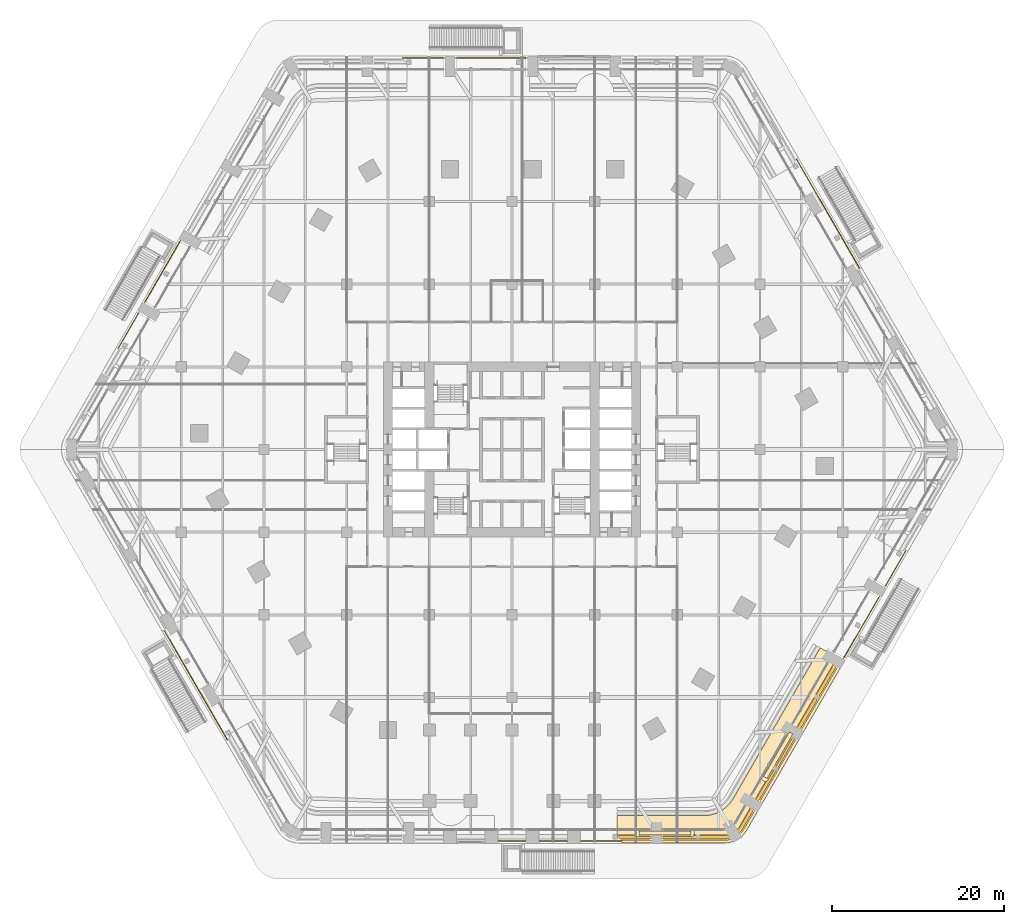
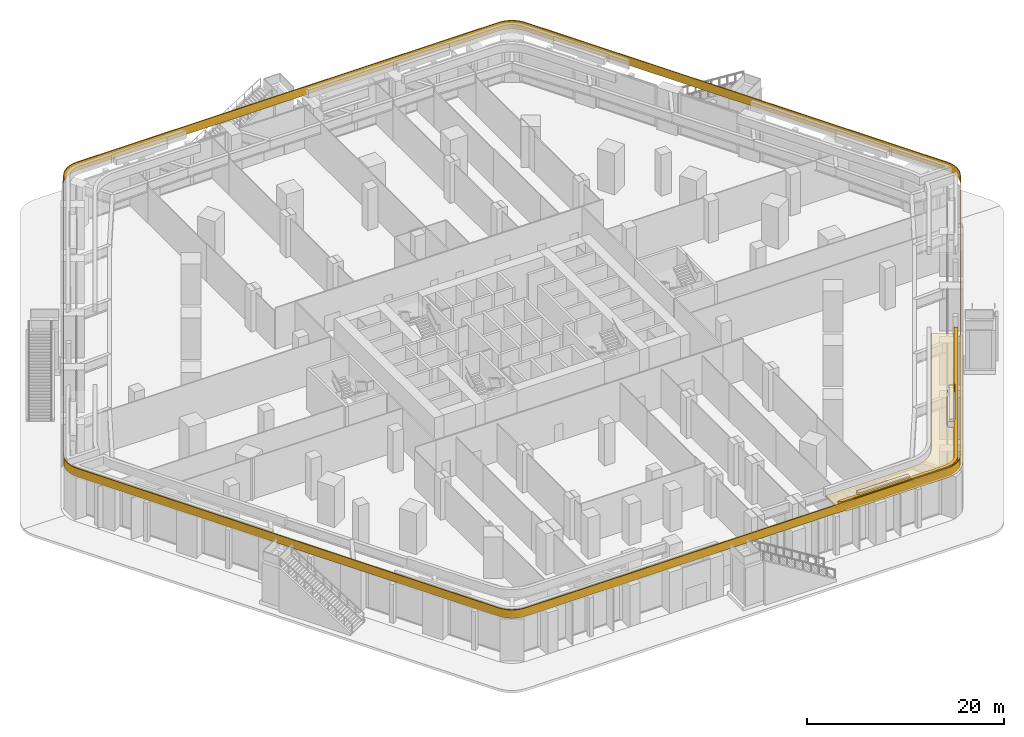
# One storey, part 31 of 34: 5 coverings, 1 railing.
"""IFC4 building model written with IfcOpenShell, lengths in metres."""

from ifc_helpers import new_model, si_unit, direction, frame, frame_2d, origin, origin_2d, place, context, subcontext, project, spatial, polyline, rectangle, outline, extrude, material, layer, layer_set, type_object, element, save


model = new_model("IFC4")

# Units and contexts
model_context = context("Model", 3, precision=1e-05, world=origin(), true_north=direction((0.0, 1.0)))
body_context = subcontext(model_context, "Body", "Model", "MODEL_VIEW")
ifc_project = project(units=[si_unit("LENGTHUNIT", "METRE"), si_unit("AREAUNIT", "SQUARE_METRE"), si_unit("VOLUMEUNIT", "CUBIC_METRE"), si_unit("PLANEANGLEUNIT", "RADIAN"), si_unit("MASSUNIT", "GRAM", prefix="KILO")], contexts=[model_context])

# Site, building, storey
site_placement = place(None, origin())
site = spatial("IfcSite", under=ifc_project, at=site_placement, CompositionType="ELEMENT")
building_placement = place(site_placement, origin())
building = spatial("IfcBuilding", under=site, at=building_placement, Name="Kolab Exchange Tower", CompositionType="ELEMENT")
storey_placement = place(building_placement, frame((0.0, 0.0, 7.0)))
storey = spatial("IfcBuildingStorey", under=building, at=storey_placement, Name="L01", CompositionType="ELEMENT", Elevation=7.0)

# Railing
ifc_material_1 = material(Name="Steel S235", Category="steel")
railing_type = type_object("IfcRailingType", Name="GUARD 1100 GLASS BALUSTRADE AND STEEL TOP RAIL", PredefinedType="GUARDRAIL", material=ifc_material_1)
railing_placement = place(storey_placement, frame((51.7119140625, -1.384521484375, 5.39990234375)))
element("IfcRailing", 1, at=railing_placement, inside=storey, type_object=railing_type, Name="Terrace guard", PredefinedType="GUARDRAIL", context=body_context, shape_type="SweptSolid", body=[
    extrude(rectangle(XDim=0.05, YDim=0.05, at=origin_2d()), frame((0.0, 0.0, 1.0751953125), z_axis=(-0.499998866633, -0.866026058133, 0.0), x_axis=(0.866026058133, -0.499998866633, 0.0)), (0.0, 0.0, 1.0), 49.31396484375),
    extrude(rectangle(XDim=0.012, YDim=1.05009765625, at=frame_2d((0.0, 0.525146484375))), frame((0.0, 0.0, 0.0), z_axis=(-0.499998866633, -0.866026058133, 0.0), x_axis=(0.866026058133, -0.499998866633, 0.0)), (0.0, 0.0, 1.0), 49.31396484375),
    extrude(rectangle(XDim=0.05, YDim=0.05, at=origin_2d()), frame((-24.656982421875, -42.707275390625, 1.0751953125), z_axis=(-0.573529226717, -0.819185098803, 0.0), x_axis=(0.819185098803, -0.573529226717, 0.0)), (0.0, 0.0, 1.0), 0.489990234375),
    extrude(rectangle(XDim=0.012, YDim=1.05009765625, at=frame_2d((0.0, 0.525146484375))), frame((-24.656982421875, -42.707275390625, 0.0), z_axis=(-0.573529226717, -0.819185098803, 0.0), x_axis=(0.819185098803, -0.573529226717, 0.0)), (0.0, 0.0, 1.0), 0.489990234375),
    extrude(rectangle(XDim=0.05, YDim=0.05, at=origin_2d()), frame((-24.93798828125, -43.108642578125, 1.0751953125), z_axis=(-0.707106781187, -0.707106781187, 0.0), x_axis=(0.707106781187, -0.707106781187, 0.0)), (0.0, 0.0, 1.0), 0.479248046875),
    extrude(rectangle(XDim=0.012, YDim=1.05009765625, at=frame_2d((0.0, 0.525146484375))), frame((-24.93798828125, -43.108642578125, 0.0), z_axis=(-0.707106781187, -0.707106781187, 0.0), x_axis=(0.707106781187, -0.707106781187, 0.0)), (0.0, 0.0, 1.0), 0.479248046875),
    extrude(rectangle(XDim=0.05, YDim=0.05, at=origin_2d()), frame((-25.27685546875, -43.447509765625, 1.0751953125), z_axis=(-0.819136180478, -0.573599091554, 0.0), x_axis=(0.573599091554, -0.819136180478, 0.0)), (0.0, 0.0, 1.0), 0.479248046875),
    extrude(rectangle(XDim=0.012, YDim=1.05009765625, at=frame_2d((0.0, 0.525146484375))), frame((-25.27685546875, -43.447509765625, 0.0), z_axis=(-0.819136180478, -0.573599091554, 0.0), x_axis=(0.573599091554, -0.819136180478, 0.0)), (0.0, 0.0, 1.0), 0.479248046875),
    extrude(rectangle(XDim=0.05, YDim=0.05, at=origin_2d()), frame((-25.66943359375, -43.722412109375, 1.0751953125), z_axis=(-0.906417300872, -0.422383329074, 0.0), x_axis=(0.422383329074, -0.906417300872, 0.0)), (0.0, 0.0, 1.0), 0.479248046875),
    extrude(rectangle(XDim=0.012, YDim=1.05009765625, at=frame_2d((0.0, 0.525146484375))), frame((-25.66943359375, -43.722412109375, 0.0), z_axis=(-0.906417300872, -0.422383329074, 0.0), x_axis=(0.422383329074, -0.906417300872, 0.0)), (0.0, 0.0, 1.0), 0.479248046875),
    extrude(rectangle(XDim=0.05, YDim=0.05, at=origin_2d()), frame((-26.103759765625, -43.9248046875, 1.0751953125), z_axis=(-0.965929859648, -0.258803991931, 0.0), x_axis=(0.258803991931, -0.965929859648, 0.0)), (0.0, 0.0, 1.0), 0.479248046875),
    extrude(rectangle(XDim=0.012, YDim=1.05009765625, at=frame_2d((0.0, 0.525146484375))), frame((-26.103759765625, -43.9248046875, 0.0), z_axis=(-0.965929859648, -0.258803991931, 0.0), x_axis=(0.258803991931, -0.965929859648, 0.0)), (0.0, 0.0, 1.0), 0.479248046875),
    extrude(rectangle(XDim=0.05, YDim=0.05, at=origin_2d()), frame((-26.566650390625, -44.048828125, 1.0751953125), z_axis=(-0.996193717496, -0.087166950281, 0.0), x_axis=(0.087166950281, -0.996193717496, 0.0)), (0.0, 0.0, 1.0), 0.490234375),
    extrude(rectangle(XDim=0.012, YDim=1.05009765625, at=frame_2d((0.0, 0.525146484375))), frame((-26.566650390625, -44.048828125, 0.0), z_axis=(-0.996193717496, -0.087166950281, 0.0), x_axis=(0.087166950281, -0.996193717496, 0.0)), (0.0, 0.0, 1.0), 0.490234375),
    extrude(rectangle(XDim=0.05, YDim=0.05, at=origin_2d()), frame((-27.054931640625, -44.091552734375, 1.0751953125), z_axis=(-1.0, 0.0, 0.0), x_axis=(0.0, -1.0, 0.0)), (0.0, 0.0, 1.0), 49.31396484375),
    extrude(rectangle(XDim=0.012, YDim=1.05009765625, at=frame_2d((0.0, 0.525146484375))), frame((-27.054931640625, -44.091552734375, 0.0), z_axis=(-1.0, 0.0, 0.0), x_axis=(0.0, -1.0, 0.0)), (0.0, 0.0, 1.0), 49.31396484375),
    extrude(rectangle(XDim=0.05, YDim=0.05, at=origin_2d()), frame((-76.368896484375, -44.091552734375, 1.0751953125), z_axis=(-0.996193717496, 0.087166950281, 0.0), x_axis=(-0.087166950281, -0.996193717496, 0.0)), (0.0, 0.0, 1.0), 0.490234375),
    extrude(rectangle(XDim=0.012, YDim=1.05009765625, at=frame_2d((0.0, 0.525146484375))), frame((-76.368896484375, -44.091552734375, 0.0), z_axis=(-0.996193717496, 0.087166950281, 0.0), x_axis=(-0.087166950281, -0.996193717496, 0.0)), (0.0, 0.0, 1.0), 0.490234375),
    extrude(rectangle(XDim=0.05, YDim=0.05, at=origin_2d()), frame((-76.857177734375, -44.048828125, 1.0751953125), z_axis=(-0.965929859648, 0.258803991931, 0.0), x_axis=(-0.258803991931, -0.965929859648, 0.0)), (0.0, 0.0, 1.0), 0.479248046875),
    extrude(rectangle(XDim=0.012, YDim=1.05009765625, at=frame_2d((0.0, 0.525146484375))), frame((-76.857177734375, -44.048828125, 0.0), z_axis=(-0.965929859648, 0.258803991931, 0.0), x_axis=(-0.258803991931, -0.965929859648, 0.0)), (0.0, 0.0, 1.0), 0.479248046875),
    extrude(rectangle(XDim=0.05, YDim=0.05, at=origin_2d()), frame((-77.320068359375, -43.9248046875, 1.0751953125), z_axis=(-0.906417300872, 0.422383329074, 0.0), x_axis=(-0.422383329074, -0.906417300872, 0.0)), (0.0, 0.0, 1.0), 0.479248046875),
    extrude(rectangle(XDim=0.012, YDim=1.05009765625, at=frame_2d((0.0, 0.525146484375))), frame((-77.320068359375, -43.9248046875, 0.0), z_axis=(-0.906417300872, 0.422383329074, 0.0), x_axis=(-0.422383329074, -0.906417300872, 0.0)), (0.0, 0.0, 1.0), 0.479248046875),
    extrude(rectangle(XDim=0.05, YDim=0.05, at=origin_2d()), frame((-77.75439453125, -43.722412109375, 1.0751953125), z_axis=(-0.819136180478, 0.573599091554, 0.0), x_axis=(-0.573599091554, -0.819136180478, 0.0)), (0.0, 0.0, 1.0), 0.479248046875),
    extrude(rectangle(XDim=0.012, YDim=1.05009765625, at=frame_2d((0.0, 0.525146484375))), frame((-77.75439453125, -43.722412109375, 0.0), z_axis=(-0.819136180478, 0.573599091554, 0.0), x_axis=(-0.573599091554, -0.819136180478, 0.0)), (0.0, 0.0, 1.0), 0.479248046875),
    extrude(rectangle(XDim=0.05, YDim=0.05, at=origin_2d()), frame((-78.14697265625, -43.447509765625, 1.0751953125), z_axis=(-0.707106781187, 0.707106781187, 0.0), x_axis=(-0.707106781187, -0.707106781187, 0.0)), (0.0, 0.0, 1.0), 0.479248046875),
    extrude(rectangle(XDim=0.012, YDim=1.05009765625, at=frame_2d((0.0, 0.525146484375))), frame((-78.14697265625, -43.447509765625, 0.0), z_axis=(-0.707106781187, 0.707106781187, 0.0), x_axis=(-0.707106781187, -0.707106781187, 0.0)), (0.0, 0.0, 1.0), 0.479248046875),
    extrude(rectangle(XDim=0.05, YDim=0.05, at=origin_2d()), frame((-78.48583984375, -43.108642578125, 1.0751953125), z_axis=(-0.573529226717, 0.819185098803, 0.0), x_axis=(-0.819185098803, -0.573529226717, 0.0)), (0.0, 0.0, 1.0), 0.489990234375),
    extrude(rectangle(XDim=0.012, YDim=1.05009765625, at=frame_2d((0.0, 0.525146484375))), frame((-78.48583984375, -43.108642578125, 0.0), z_axis=(-0.573529226717, 0.819185098803, 0.0), x_axis=(-0.819185098803, -0.573529226717, 0.0)), (0.0, 0.0, 1.0), 0.489990234375),
    extrude(rectangle(XDim=0.05, YDim=0.05, at=origin_2d()), frame((-78.766845703125, -42.707275390625, 1.0751953125), z_axis=(-0.499998866633, 0.866026058133, 0.0), x_axis=(-0.866026058133, -0.499998866633, 0.0)), (0.0, 0.0, 1.0), 49.31396484375),
    extrude(rectangle(XDim=0.012, YDim=1.05009765625, at=frame_2d((0.0, 0.525146484375))), frame((-78.766845703125, -42.707275390625, 0.0), z_axis=(-0.499998866633, 0.866026058133, 0.0), x_axis=(-0.866026058133, -0.499998866633, 0.0)), (0.0, 0.0, 1.0), 49.31396484375),
    extrude(rectangle(XDim=0.05, YDim=0.05, at=origin_2d()), frame((-103.423828125, 0.0, 1.0751953125), z_axis=(-0.422749163714, 0.906246734934, 0.0), x_axis=(-0.906246734934, -0.422749163714, 0.0)), (0.0, 0.0, 1.0), 0.490234375),
    extrude(rectangle(XDim=0.012, YDim=1.05009765625, at=frame_2d((0.0, 0.525146484375))), frame((-103.423828125, 0.0, 0.0), z_axis=(-0.422749163714, 0.906246734934, 0.0), x_axis=(-0.906246734934, -0.422749163714, 0.0)), (0.0, 0.0, 1.0), 0.490234375),
    extrude(rectangle(XDim=0.05, YDim=0.05, at=origin_2d()), frame((-103.631103515625, 0.4443359375, 1.0751953125), z_axis=(-0.258803991931, 0.965929859648, 0.0), x_axis=(-0.965929859648, -0.258803991931, 0.0)), (0.0, 0.0, 1.0), 0.479248046875),
    extrude(rectangle(XDim=0.012, YDim=1.05009765625, at=frame_2d((0.0, 0.525146484375))), frame((-103.631103515625, 0.4443359375, 0.0), z_axis=(-0.258803991931, 0.965929859648, 0.0), x_axis=(-0.965929859648, -0.258803991931, 0.0)), (0.0, 0.0, 1.0), 0.479248046875),
    extrude(rectangle(XDim=0.05, YDim=0.05, at=origin_2d()), frame((-103.755126953125, 0.9072265625, 1.0751953125), z_axis=(-0.087135344505, 0.996196482496, 0.0), x_axis=(-0.996196482496, -0.087135344505, 0.0)), (0.0, 0.0, 1.0), 0.47900390625),
    extrude(rectangle(XDim=0.012, YDim=1.05009765625, at=frame_2d((0.0, 0.525146484375))), frame((-103.755126953125, 0.9072265625, 0.0), z_axis=(-0.087135344505, 0.996196482496, 0.0), x_axis=(-0.996196482496, -0.087135344505, 0.0)), (0.0, 0.0, 1.0), 0.47900390625),
    extrude(rectangle(XDim=0.05, YDim=0.05, at=origin_2d()), frame((-103.796875, 1.384521484375, 1.0751953125), z_axis=(0.087135344505, 0.996196482496, 0.0), x_axis=(-0.996196482496, 0.087135344505, 0.0)), (0.0, 0.0, 1.0), 0.47900390625),
    extrude(rectangle(XDim=0.012, YDim=1.05009765625, at=frame_2d((0.0, 0.525146484375))), frame((-103.796875, 1.384521484375, 0.0), z_axis=(0.087135344505, 0.996196482496, 0.0), x_axis=(-0.996196482496, 0.087135344505, 0.0)), (0.0, 0.0, 1.0), 0.47900390625),
    extrude(rectangle(XDim=0.05, YDim=0.05, at=origin_2d()), frame((-103.755126953125, 1.86181640625, 1.0751953125), z_axis=(0.258803991931, 0.965929859648, 0.0), x_axis=(-0.965929859648, 0.258803991931, 0.0)), (0.0, 0.0, 1.0), 0.479248046875),
    extrude(rectangle(XDim=0.012, YDim=1.05009765625, at=frame_2d((0.0, 0.525146484375))), frame((-103.755126953125, 1.86181640625, 0.0), z_axis=(0.258803991931, 0.965929859648, 0.0), x_axis=(-0.965929859648, 0.258803991931, 0.0)), (0.0, 0.0, 1.0), 0.479248046875),
    extrude(rectangle(XDim=0.05, YDim=0.05, at=origin_2d()), frame((-103.631103515625, 2.32470703125, 1.0751953125), z_axis=(0.422749163714, 0.906246734934, 0.0), x_axis=(-0.906246734934, 0.422749163714, 0.0)), (0.0, 0.0, 1.0), 0.490234375),
    extrude(rectangle(XDim=0.012, YDim=1.05009765625, at=frame_2d((0.0, 0.525146484375))), frame((-103.631103515625, 2.32470703125, 0.0), z_axis=(0.422749163714, 0.906246734934, 0.0), x_axis=(-0.906246734934, 0.422749163714, 0.0)), (0.0, 0.0, 1.0), 0.490234375),
    extrude(rectangle(XDim=0.05, YDim=0.05, at=origin_2d()), frame((-103.423828125, 2.76904296875, 1.0751953125), z_axis=(0.499998866633, 0.866026058133, 0.0), x_axis=(-0.866026058133, 0.499998866633, 0.0)), (0.0, 0.0, 1.0), 49.31396484375),
    extrude(rectangle(XDim=0.012, YDim=1.05009765625, at=frame_2d((0.0, 0.525146484375))), frame((-103.423828125, 2.76904296875, 0.0), z_axis=(0.499998866633, 0.866026058133, 0.0), x_axis=(-0.866026058133, 0.499998866633, 0.0)), (0.0, 0.0, 1.0), 49.31396484375),
    extrude(rectangle(XDim=0.05, YDim=0.05, at=origin_2d()), frame((-78.766845703125, 45.476318359375, 1.0751953125), z_axis=(0.573529226717, 0.819185098803, 0.0), x_axis=(-0.819185098803, 0.573529226717, 0.0)), (0.0, 0.0, 1.0), 0.489990234375),
    extrude(rectangle(XDim=0.012, YDim=1.05009765625, at=frame_2d((0.0, 0.525146484375))), frame((-78.766845703125, 45.476318359375, 0.0), z_axis=(0.573529226717, 0.819185098803, 0.0), x_axis=(-0.819185098803, 0.573529226717, 0.0)), (0.0, 0.0, 1.0), 0.489990234375),
    extrude(rectangle(XDim=0.05, YDim=0.05, at=origin_2d()), frame((-78.48583984375, 45.877685546875, 1.0751953125), z_axis=(0.707106781187, 0.707106781187, 0.0), x_axis=(-0.707106781187, 0.707106781187, 0.0)), (0.0, 0.0, 1.0), 0.479248046875),
    extrude(rectangle(XDim=0.012, YDim=1.05009765625, at=frame_2d((0.0, 0.525146484375))), frame((-78.48583984375, 45.877685546875, 0.0), z_axis=(0.707106781187, 0.707106781187, 0.0), x_axis=(-0.707106781187, 0.707106781187, 0.0)), (0.0, 0.0, 1.0), 0.479248046875),
    extrude(rectangle(XDim=0.05, YDim=0.05, at=origin_2d()), frame((-78.14697265625, 46.216552734375, 1.0751953125), z_axis=(0.819136180478, 0.573599091554, 0.0), x_axis=(-0.573599091554, 0.819136180478, 0.0)), (0.0, 0.0, 1.0), 0.479248046875),
    extrude(rectangle(XDim=0.012, YDim=1.05009765625, at=frame_2d((0.0, 0.525146484375))), frame((-78.14697265625, 46.216552734375, 0.0), z_axis=(0.819136180478, 0.573599091554, 0.0), x_axis=(-0.573599091554, 0.819136180478, 0.0)), (0.0, 0.0, 1.0), 0.479248046875),
    extrude(rectangle(XDim=0.05, YDim=0.05, at=origin_2d()), frame((-77.75439453125, 46.491455078125, 1.0751953125), z_axis=(0.906417300872, 0.422383329074, 0.0), x_axis=(-0.422383329074, 0.906417300872, 0.0)), (0.0, 0.0, 1.0), 0.479248046875),
    extrude(rectangle(XDim=0.012, YDim=1.05009765625, at=frame_2d((0.0, 0.525146484375))), frame((-77.75439453125, 46.491455078125, 0.0), z_axis=(0.906417300872, 0.422383329074, 0.0), x_axis=(-0.422383329074, 0.906417300872, 0.0)), (0.0, 0.0, 1.0), 0.479248046875),
    extrude(rectangle(XDim=0.05, YDim=0.05, at=origin_2d()), frame((-77.320068359375, 46.69384765625, 1.0751953125), z_axis=(0.965929859648, 0.258803991931, 0.0), x_axis=(-0.258803991931, 0.965929859648, 0.0)), (0.0, 0.0, 1.0), 0.479248046875),
    extrude(rectangle(XDim=0.012, YDim=1.05009765625, at=frame_2d((0.0, 0.525146484375))), frame((-77.320068359375, 46.69384765625, 0.0), z_axis=(0.965929859648, 0.258803991931, 0.0), x_axis=(-0.258803991931, 0.965929859648, 0.0)), (0.0, 0.0, 1.0), 0.479248046875),
    extrude(rectangle(XDim=0.05, YDim=0.05, at=origin_2d()), frame((-76.857177734375, 46.81787109375, 1.0751953125), z_axis=(0.996193717496, 0.087166950281, 0.0), x_axis=(-0.087166950281, 0.996193717496, 0.0)), (0.0, 0.0, 1.0), 0.490234375),
    extrude(rectangle(XDim=0.012, YDim=1.05009765625, at=frame_2d((0.0, 0.525146484375))), frame((-76.857177734375, 46.81787109375, 0.0), z_axis=(0.996193717496, 0.087166950281, 0.0), x_axis=(-0.087166950281, 0.996193717496, 0.0)), (0.0, 0.0, 1.0), 0.490234375),
    extrude(rectangle(XDim=0.05, YDim=0.05, at=origin_2d()), frame((-76.368896484375, 46.860595703125, 1.0751953125), z_axis=(1.0, 0.0, 0.0), x_axis=(0.0, 1.0, 0.0)), (0.0, 0.0, 1.0), 49.31396484375),
    extrude(rectangle(XDim=0.012, YDim=1.05009765625, at=frame_2d((0.0, 0.525146484375))), frame((-76.368896484375, 46.860595703125, 0.0), z_axis=(1.0, 0.0, 0.0), x_axis=(0.0, 1.0, 0.0)), (0.0, 0.0, 1.0), 49.31396484375),
    extrude(rectangle(XDim=0.05, YDim=0.05, at=origin_2d()), frame((-27.054931640625, 46.860595703125, 1.0751953125), z_axis=(0.996193717496, -0.087166950281, 0.0), x_axis=(0.087166950281, 0.996193717496, 0.0)), (0.0, 0.0, 1.0), 0.490234375),
    extrude(rectangle(XDim=0.012, YDim=1.05009765625, at=frame_2d((0.0, 0.525146484375))), frame((-27.054931640625, 46.860595703125, 0.0), z_axis=(0.996193717496, -0.087166950281, 0.0), x_axis=(0.087166950281, 0.996193717496, 0.0)), (0.0, 0.0, 1.0), 0.490234375),
    extrude(rectangle(XDim=0.05, YDim=0.05, at=origin_2d()), frame((-26.566650390625, 46.81787109375, 1.0751953125), z_axis=(0.965929859648, -0.258803991931, 0.0), x_axis=(0.258803991931, 0.965929859648, 0.0)), (0.0, 0.0, 1.0), 0.479248046875),
    extrude(rectangle(XDim=0.012, YDim=1.05009765625, at=frame_2d((0.0, 0.525146484375))), frame((-26.566650390625, 46.81787109375, 0.0), z_axis=(0.965929859648, -0.258803991931, 0.0), x_axis=(0.258803991931, 0.965929859648, 0.0)), (0.0, 0.0, 1.0), 0.479248046875),
    extrude(rectangle(XDim=0.05, YDim=0.05, at=origin_2d()), frame((-26.103759765625, 46.69384765625, 1.0751953125), z_axis=(0.906417300872, -0.422383329074, 0.0), x_axis=(0.422383329074, 0.906417300872, 0.0)), (0.0, 0.0, 1.0), 0.479248046875),
    extrude(rectangle(XDim=0.012, YDim=1.05009765625, at=frame_2d((0.0, 0.525146484375))), frame((-26.103759765625, 46.69384765625, 0.0), z_axis=(0.906417300872, -0.422383329074, 0.0), x_axis=(0.422383329074, 0.906417300872, 0.0)), (0.0, 0.0, 1.0), 0.479248046875),
    extrude(rectangle(XDim=0.05, YDim=0.05, at=origin_2d()), frame((-25.66943359375, 46.491455078125, 1.0751953125), z_axis=(0.819136180478, -0.573599091554, 0.0), x_axis=(0.573599091554, 0.819136180478, 0.0)), (0.0, 0.0, 1.0), 0.479248046875),
    extrude(rectangle(XDim=0.012, YDim=1.05009765625, at=frame_2d((0.0, 0.525146484375))), frame((-25.66943359375, 46.491455078125, 0.0), z_axis=(0.819136180478, -0.573599091554, 0.0), x_axis=(0.573599091554, 0.819136180478, 0.0)), (0.0, 0.0, 1.0), 0.479248046875),
    extrude(rectangle(XDim=0.05, YDim=0.05, at=origin_2d()), frame((-25.27685546875, 46.216552734375, 1.0751953125), z_axis=(0.707106781187, -0.707106781187, 0.0), x_axis=(0.707106781187, 0.707106781187, 0.0)), (0.0, 0.0, 1.0), 0.479248046875),
    extrude(rectangle(XDim=0.012, YDim=1.05009765625, at=frame_2d((0.0, 0.525146484375))), frame((-25.27685546875, 46.216552734375, 0.0), z_axis=(0.707106781187, -0.707106781187, 0.0), x_axis=(0.707106781187, 0.707106781187, 0.0)), (0.0, 0.0, 1.0), 0.479248046875),
    extrude(rectangle(XDim=0.05, YDim=0.05, at=origin_2d()), frame((-24.93798828125, 45.877685546875, 1.0751953125), z_axis=(0.573529226717, -0.819185098803, 0.0), x_axis=(0.819185098803, 0.573529226717, 0.0)), (0.0, 0.0, 1.0), 0.489990234375),
    extrude(rectangle(XDim=0.012, YDim=1.05009765625, at=frame_2d((0.0, 0.525146484375))), frame((-24.93798828125, 45.877685546875, 0.0), z_axis=(0.573529226717, -0.819185098803, 0.0), x_axis=(0.819185098803, 0.573529226717, 0.0)), (0.0, 0.0, 1.0), 0.489990234375),
    extrude(rectangle(XDim=0.05, YDim=0.05, at=origin_2d()), frame((-24.656982421875, 45.476318359375, 1.0751953125), z_axis=(0.499998866633, -0.866026058133, 0.0), x_axis=(0.866026058133, 0.499998866633, 0.0)), (0.0, 0.0, 1.0), 49.31396484375),
    extrude(rectangle(XDim=0.012, YDim=1.05009765625, at=frame_2d((0.0, 0.525146484375))), frame((-24.656982421875, 45.476318359375, 0.0), z_axis=(0.499998866633, -0.866026058133, 0.0), x_axis=(0.866026058133, 0.499998866633, 0.0)), (0.0, 0.0, 1.0), 49.31396484375),
    extrude(rectangle(XDim=0.05, YDim=0.05, at=origin_2d()), frame((0.0, 2.76904296875, 1.0751953125), z_axis=(0.422749163714, -0.906246734934, 0.0), x_axis=(0.906246734934, 0.422749163714, 0.0)), (0.0, 0.0, 1.0), 0.490234375),
    extrude(rectangle(XDim=0.012, YDim=1.05009765625, at=frame_2d((0.0, 0.525146484375))), frame((0.0, 2.76904296875, 0.0), z_axis=(0.422749163714, -0.906246734934, 0.0), x_axis=(0.906246734934, 0.422749163714, 0.0)), (0.0, 0.0, 1.0), 0.490234375),
    extrude(rectangle(XDim=0.05, YDim=0.05, at=origin_2d()), frame((0.207275390625, 2.32470703125, 1.0751953125), z_axis=(0.258803991931, -0.965929859648, 0.0), x_axis=(0.965929859648, 0.258803991931, 0.0)), (0.0, 0.0, 1.0), 0.479248046875),
    extrude(rectangle(XDim=0.012, YDim=1.05009765625, at=frame_2d((0.0, 0.525146484375))), frame((0.207275390625, 2.32470703125, 0.0), z_axis=(0.258803991931, -0.965929859648, 0.0), x_axis=(0.965929859648, 0.258803991931, 0.0)), (0.0, 0.0, 1.0), 0.479248046875),
    extrude(rectangle(XDim=0.05, YDim=0.05, at=origin_2d()), frame((0.331298828125, 1.86181640625, 1.0751953125), z_axis=(0.087135344505, -0.996196482496, 0.0), x_axis=(0.996196482496, 0.087135344505, 0.0)), (0.0, 0.0, 1.0), 0.47900390625),
    extrude(rectangle(XDim=0.012, YDim=1.05009765625, at=frame_2d((0.0, 0.525146484375))), frame((0.331298828125, 1.86181640625, 0.0), z_axis=(0.087135344505, -0.996196482496, 0.0), x_axis=(0.996196482496, 0.087135344505, 0.0)), (0.0, 0.0, 1.0), 0.47900390625),
    extrude(rectangle(XDim=0.05, YDim=0.05, at=origin_2d()), frame((0.373046875, 1.384521484375, 1.0751953125), z_axis=(-0.087135344505, -0.996196482496, 0.0), x_axis=(0.996196482496, -0.087135344505, 0.0)), (0.0, 0.0, 1.0), 0.47900390625),
    extrude(rectangle(XDim=0.012, YDim=1.05009765625, at=frame_2d((0.0, 0.525146484375))), frame((0.373046875, 1.384521484375, 0.0), z_axis=(-0.087135344505, -0.996196482496, 0.0), x_axis=(0.996196482496, -0.087135344505, 0.0)), (0.0, 0.0, 1.0), 0.47900390625),
    extrude(rectangle(XDim=0.05, YDim=0.05, at=origin_2d()), frame((0.331298828125, 0.9072265625, 1.0751953125), z_axis=(-0.258803991931, -0.965929859648, 0.0), x_axis=(0.965929859648, -0.258803991931, 0.0)), (0.0, 0.0, 1.0), 0.479248046875),
    extrude(rectangle(XDim=0.012, YDim=1.05009765625, at=frame_2d((0.0, 0.525146484375))), frame((0.331298828125, 0.9072265625, 0.0), z_axis=(-0.258803991931, -0.965929859648, 0.0), x_axis=(0.965929859648, -0.258803991931, 0.0)), (0.0, 0.0, 1.0), 0.479248046875),
    extrude(rectangle(XDim=0.05, YDim=0.05, at=origin_2d()), frame((0.207275390625, 0.4443359375, 1.0751953125), z_axis=(-0.422749163714, -0.906246734934, 0.0), x_axis=(0.906246734934, -0.422749163714, 0.0)), (0.0, 0.0, 1.0), 0.490234375),
    extrude(rectangle(XDim=0.012, YDim=1.05009765625, at=frame_2d((0.0, 0.525146484375))), frame((0.207275390625, 0.4443359375, 0.0), z_axis=(-0.422749163714, -0.906246734934, 0.0), x_axis=(0.906246734934, -0.422749163714, 0.0)), (0.0, 0.0, 1.0), 0.490234375),
])

# Coverings
ifc_material_2 = material(Name="Planting soil and turf", Category="soil")
ifc_layer_1 = layer(ifc_material_2, 0.25)
ifc_layer_set_1 = layer_set([ifc_layer_1], Name="Planting soil and turf")
covering_type_1 = type_object("IfcCoveringType", Name="PLANTING SOIL AND TURF 250", PredefinedType="USERDEFINED", material=ifc_layer_set_1)
covering_1_placement = place(storey_placement, frame((0.0, 0.0, 5.39990234375)))
element("IfcCovering", 2, at=covering_1_placement, inside=storey, type_object=covering_type_1, Name="Planting soil and turf", ObjectType="PLANTING", PredefinedType="USERDEFINED", context=body_context, shape_type="SweptSolid", body=[
    extrude(outline(polyline([(22.309326171875, -42.519287109375), (22.95458984375, -42.462890625), (23.6201171875, -42.284423828125), (24.244873046875, -41.9931640625), (24.809326171875, -41.597900390625), (25.296630859375, -41.110595703125), (25.66796875, -40.580078125), (35.802734375, -23.0263671875), (37.75732421875, -24.15478515625), (32.7861328125, -32.764892578125), (32.7724609375, -32.733154296875), (32.75341796875, -32.698974609375), (32.73095703125, -32.66650390625), (32.70556640625, -32.63671875), (32.677490234375, -32.609375), (32.646728515625, -32.5849609375), (32.61376953125, -32.563720703125), (32.578857421875, -32.545654296875), (32.542236328125, -32.53125), (32.504638671875, -32.5205078125), (32.4658203125, -32.513427734375), (32.4267578125, -32.51025390625), (32.387451171875, -32.510986328125), (32.3486328125, -32.515380859375), (32.31005859375, -32.523681640625), (32.272705078125, -32.53564453125), (32.23681640625, -32.55126953125), (32.202392578125, -32.5703125), (32.170166015625, -32.5927734375), (32.140380859375, -32.6181640625), (32.113037109375, -32.646240234375), (32.088623046875, -32.677001953125), (32.0673828125, -32.710205078125), (29.0673828125, -37.90625), (29.04931640625, -37.941162109375), (29.034912109375, -37.977783203125), (29.024169921875, -38.015380859375), (29.01708984375, -38.053955078125), (29.013916015625, -38.09326171875), (29.0146484375, -38.13232421875), (29.01904296875, -38.17138671875), (29.02734375, -38.209716796875), (29.039306640625, -38.2470703125), (29.054931640625, -38.283203125), (29.073974609375, -38.3173828125), (29.096435546875, -38.349853515625), (29.121826171875, -38.379638671875), (29.14990234375, -38.406982421875), (29.1806640625, -38.431396484375), (29.213623046875, -38.45263671875), (29.24853515625, -38.470703125), (29.28515625, -38.485107421875), (29.32275390625, -38.495849609375), (29.361572265625, -38.5029296875), (29.400634765625, -38.506103515625), (29.43994140625, -38.50537109375), (29.47412109375, -38.50146484375), (26.464111328125, -43.71533203125), (26.235595703125, -44.04150390625), (25.9833984375, -44.293701171875), (25.691162109375, -44.498291015625), (25.367919921875, -44.649169921875), (25.023193359375, -44.741455078125), (24.62646484375, -44.776123046875), (21.072998046875, -44.776123046875), (21.093505859375, -44.748291015625), (21.11376953125, -44.714599609375), (21.13037109375, -44.67919921875), (21.143798828125, -44.642333984375), (21.1533203125, -44.604248046875), (21.158935546875, -44.5654296875), (21.160888671875, -44.526123046875), (21.158935546875, -44.48681640625), (21.1533203125, -44.447998046875), (21.143798828125, -44.409912109375), (21.13037109375, -44.373046875), (21.11376953125, -44.337646484375), (21.093505859375, -44.303955078125), (21.070068359375, -44.2724609375), (21.043701171875, -44.243408203125), (21.0146484375, -44.217041015625), (20.983154296875, -44.193603515625), (20.949462890625, -44.17333984375), (20.9140625, -44.156494140625), (20.876953125, -44.143310546875), (20.8388671875, -44.1337890625), (20.800048828125, -44.128173828125), (20.760986328125, -44.126220703125), (14.760986328125, -44.126220703125), (14.7216796875, -44.128173828125), (14.682861328125, -44.1337890625), (14.644775390625, -44.143310546875), (14.60791015625, -44.156494140625), (14.572265625, -44.17333984375), (14.53857421875, -44.193603515625), (14.507080078125, -44.217041015625), (14.47802734375, -44.243408203125), (14.45166015625, -44.2724609375), (14.42822265625, -44.303955078125), (14.408203125, -44.337646484375), (14.391357421875, -44.373046875), (14.378173828125, -44.409912109375), (14.36865234375, -44.447998046875), (14.36279296875, -44.48681640625), (14.36083984375, -44.526123046875), (14.36279296875, -44.5654296875), (14.36865234375, -44.604248046875), (14.378173828125, -44.642333984375), (14.391357421875, -44.67919921875), (14.408203125, -44.714599609375), (14.42822265625, -44.748291015625), (14.448974609375, -44.776123046875), (12.199951171875, -44.776123046875), (12.199951171875, -42.519287109375), (22.309326171875, -42.519287109375)])), origin(), (0.0, 0.0, 1.0), 0.25),
])
covering_2_placement = place(storey_placement, frame((0.0, 0.0, 6.10009765625)))
element("IfcCovering", 3, at=covering_2_placement, inside=storey, type_object=covering_type_1, Name="Planting soil and turf", ObjectType="PLANTING", PredefinedType="USERDEFINED", context=body_context, shape_type="SweptSolid", body=[
    extrude(outline(polyline([(29.62158203125, -38.226318359375), (29.205810546875, -37.986328125), (32.205810546875, -32.7900390625), (32.62158203125, -33.030029296875), (29.62158203125, -38.226318359375)])), origin(), (0.0, 0.0, 1.0), 0.2998046875),
])
covering_3_placement = place(storey_placement, frame((0.0, 0.0, 6.10009765625)))
element("IfcCovering", 4, at=covering_3_placement, inside=storey, type_object=covering_type_1, Name="Planting soil and turf", ObjectType="PLANTING", PredefinedType="USERDEFINED", context=body_context, shape_type="SweptSolid", body=[
    extrude(outline(polyline([(14.760986328125, -44.76611328125), (14.760986328125, -44.2861328125), (20.760986328125, -44.2861328125), (20.760986328125, -44.76611328125), (14.760986328125, -44.76611328125)])), origin(), (0.0, 0.0, 1.0), 0.2998046875),
])
ifc_material_3 = material(Name="Limestone coping", Category="masonry")
ifc_layer_2 = layer(ifc_material_3, 0.050048828125)
ifc_layer_set_2 = layer_set([ifc_layer_2], Name="Limestone coping")
covering_type_2 = type_object("IfcCoveringType", Name="TERRACE EDGE BAND LIMESTONE 50", PredefinedType="CLADDING", material=ifc_layer_set_2)
covering_4_placement = place(storey_placement, frame((0.0, 0.0, 5.39990234375)))
element("IfcCovering", 5, at=covering_4_placement, inside=storey, type_object=covering_type_2, Name="Terrace edge band", PredefinedType="CLADDING", context=body_context, shape_type="SweptSolid", body=[
    extrude(outline(polyline([(26.58349609375, -45.0087890625), (26.157958984375, -45.306884765625), (25.687255859375, -45.5263671875), (25.185302734375, -45.660888671875), (24.6669921875, -45.7060546875), (12.759033203125, -45.7060546875), (12.756103515625, -45.647705078125), (12.74462890625, -45.570068359375), (12.7255859375, -45.493896484375), (12.69921875, -45.419921875), (12.6689453125, -45.356201171875), (24.65185546875, -45.356201171875), (25.12451171875, -45.314697265625), (25.56689453125, -45.1962890625), (25.982177734375, -45.002685546875), (26.357666015625, -44.73974609375), (26.681640625, -44.415771484375), (26.95361328125, -44.027099609375), (38.30517578125, -24.365966796875), (38.34521484375, -24.424072265625), (38.39599609375, -24.48388671875), (38.45263671875, -24.538330078125), (38.513916015625, -24.587158203125), (38.563232421875, -24.618896484375), (27.2490234375, -44.21533203125), (26.95068359375, -44.6416015625), (26.58349609375, -45.0087890625)])), origin(), (0.0, 0.0, 1.0), 0.050048828125),
])
ifc_material_4 = material(Name="Terrace hedge planting", Category="soil")
ifc_layer_3 = layer(ifc_material_4, 1.0)
ifc_layer_set_3 = layer_set([ifc_layer_3], Name="Terrace hedge planting")
covering_type_3 = type_object("IfcCoveringType", Name="TERRACE HEDGE 1000 X 400", PredefinedType="USERDEFINED", material=ifc_layer_set_3)
covering_5_placement = place(storey_placement, frame((0.0, 0.0, 5.39990234375)))
element("IfcCovering", 6, at=covering_5_placement, inside=storey, type_object=covering_type_3, Name="Terrace hedge", ObjectType="PLANTING", PredefinedType="USERDEFINED", context=body_context, shape_type="SweptSolid", body=[
    extrude(outline(polyline([(26.843994140625, -43.957275390625), (26.58154296875, -44.331787109375), (26.273681640625, -44.639892578125), (25.9169921875, -44.8896484375), (25.5224609375, -45.073486328125), (25.101806640625, -45.186279296875), (24.646240234375, -45.22607421875), (12.583984375, -45.22607421875), (12.578369140625, -45.218505859375), (12.525634765625, -45.160400390625), (12.467529296875, -45.107666015625), (12.404541015625, -45.06103515625), (12.337158203125, -45.0205078125), (12.26611328125, -44.987060546875), (12.194091796875, -44.961181640625), (12.196044921875, -44.94775390625), (12.199951171875, -44.869140625), (12.199951171875, -44.826171875), (14.4970703125, -44.826171875), (14.507080078125, -44.83544921875), (14.53857421875, -44.858642578125), (14.572265625, -44.87890625), (14.60791015625, -44.895751953125), (14.644775390625, -44.908935546875), (14.682861328125, -44.91845703125), (14.7216796875, -44.92431640625), (14.760986328125, -44.926025390625), (20.760986328125, -44.926025390625), (20.800048828125, -44.92431640625), (20.8388671875, -44.91845703125), (20.876953125, -44.908935546875), (20.9140625, -44.895751953125), (20.949462890625, -44.87890625), (20.983154296875, -44.858642578125), (21.0146484375, -44.83544921875), (21.02490234375, -44.826171875), (24.628662109375, -44.826171875), (25.031982421875, -44.790771484375), (25.385009765625, -44.6962890625), (25.71630859375, -44.541748046875), (26.015625, -44.332275390625), (26.27392578125, -44.07373046875), (26.50634765625, -43.7421875), (29.54150390625, -38.48486328125), (29.5546875, -38.480712890625), (29.590576171875, -38.465087890625), (29.625, -38.446044921875), (29.6572265625, -38.423583984375), (29.687255859375, -38.398193359375), (29.71435546875, -38.369873046875), (29.73876953125, -38.33935546875), (29.760009765625, -38.30615234375), (32.760009765625, -33.110107421875), (32.778076171875, -33.0751953125), (32.79248046875, -33.03857421875), (32.80322265625, -33.0009765625), (32.810302734375, -32.96240234375), (32.8134765625, -32.923095703125), (32.812744140625, -32.884033203125), (32.808349609375, -32.844970703125), (32.805419921875, -32.83154296875), (37.800537109375, -24.1796875), (37.837890625, -24.201416015625), (37.90771484375, -24.237060546875), (37.980712890625, -24.26611328125), (38.05615234375, -24.28759765625), (38.133544921875, -24.3017578125), (38.189453125, -24.30615234375), (26.843994140625, -43.957275390625)])), origin(), (0.0, 0.0, 1.0), 1.0),
])

save(model, "model.ifc")
